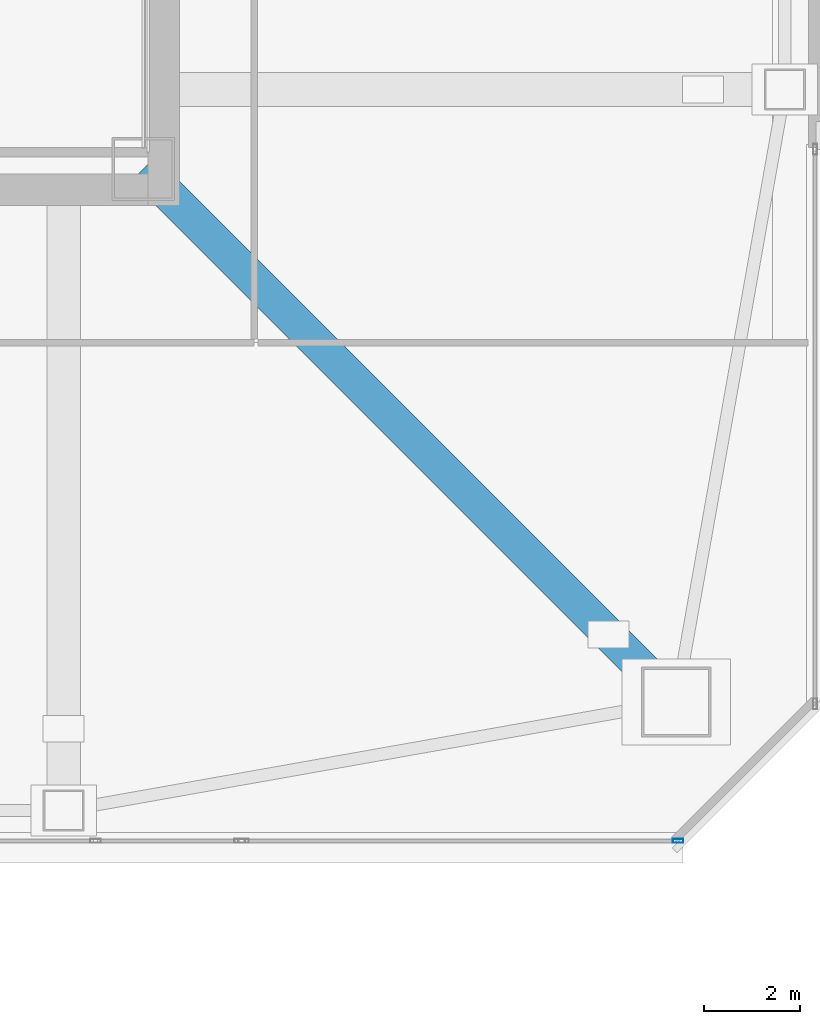
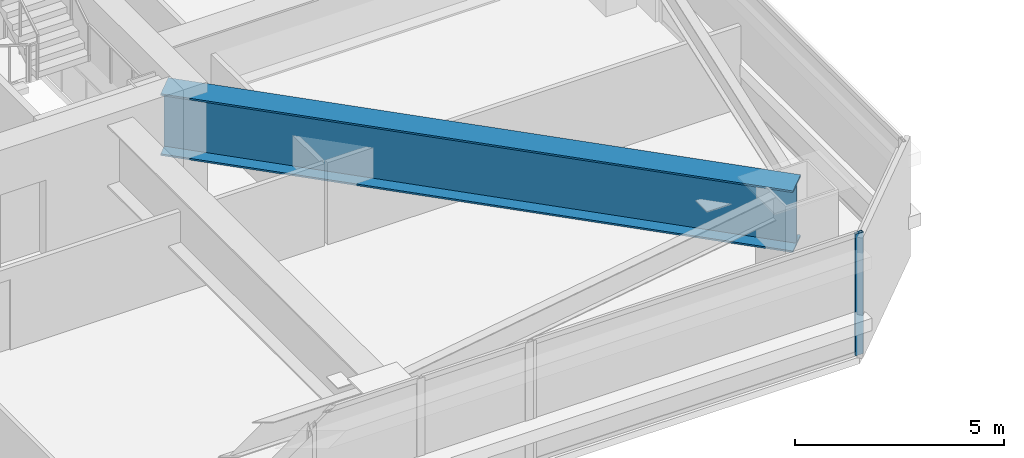
# One storey, part 8 of 49: 1 beam, 1 member, 1 element without a shape of its own.
"""IFC4 building model written with IfcOpenShell, lengths in metres."""

from ifc_helpers import new_model, si_unit, direction, frame, origin, origin_2d, place, context, subcontext, project, spatial, hollow_rectangle, i_section, extrude, material, material_profile, profile_set, type_object, element, aggregate, save


model = new_model("IFC4")

# Units and contexts
model_context = context("Model", 3, precision=1e-05, world=origin(), true_north=direction((0.0, 1.0)))
body_context = subcontext(model_context, "Body", "Model", "MODEL_VIEW")
ifc_project = project(units=[si_unit("LENGTHUNIT", "METRE"), si_unit("AREAUNIT", "SQUARE_METRE"), si_unit("VOLUMEUNIT", "CUBIC_METRE"), si_unit("PLANEANGLEUNIT", "RADIAN"), si_unit("MASSUNIT", "GRAM", prefix="KILO")], contexts=[model_context])

# Site, building, storey
site_placement = place(None, origin())
site = spatial("IfcSite", under=ifc_project, at=site_placement, CompositionType="ELEMENT")
building_placement = place(site_placement, origin())
building = spatial("IfcBuilding", under=site, at=building_placement, Name="Tashvorn Skyway Center", CompositionType="ELEMENT")
storey_placement = place(building_placement, frame((0.0, 0.0, 106.25)))
storey = spatial("IfcBuildingStorey", under=building, at=storey_placement, Name="L28", CompositionType="ELEMENT", Elevation=106.25)

# Beam
ifc_material_1 = material(Name="Steel ASTM A572 Grade 50", Category="steel")
ifc_material_profile_1 = material_profile(ifc_material_1, i_section(OverallWidth=0.699951171875, OverallDepth=1.800048828125, WebThickness=0.031982421875, FlangeThickness=0.050048828125, at=origin_2d()), Name="PG1800x700")
ifc_profile_set_1 = profile_set([ifc_material_profile_1], Name="Steel ASTM A572 Grade 50")
beam_type = type_object("IfcBeamType", Name="BM-BEAM-PG1800x700", PredefinedType="BEAM", material=ifc_profile_set_1)
beam_placement = place(storey_placement, frame((60.10009765625, 13.89990234375, 2.35009765625), z_axis=(-0.707106781187, 0.707106781187, 0.0), x_axis=(-0.707106781187, -0.707106781187, 0.0)))
element("IfcBeam", 1, at=beam_placement, inside=storey, type_object=beam_type, Name="Tower 1 L28 Setback Transfer Girder MC-SE", PredefinedType="BEAM", context=body_context, shape_type="SweptSolid", body=[
    extrude(i_section(OverallWidth=0.699951171875, OverallDepth=1.800048828125, WebThickness=0.031982421875, FlangeThickness=0.050048828125, at=origin_2d()), origin(), (0.0, 0.0, 1.0), 15.627197265625),
])

# Curtain wall, member
ifc_material_2 = material(Name="Thermally broken bronze-anodized aluminium 6063-T6", Category="aluminium")
curtain_wall_type = type_object("IfcCurtainWallType", Name="CW-CW-Z2", PredefinedType="NOTDEFINED", material=ifc_material_2)
curtain_wall_placement = place(storey_placement, origin())
curtain_wall = element("IfcCurtainWall", 2, at=curtain_wall_placement, inside=storey, type_object=curtain_wall_type, Name="Tower 1 L28 South Unitised Curtain Wall Glazing Group 1", PredefinedType="NOTDEFINED")
ifc_material_profile_2 = material_profile(ifc_material_2, hollow_rectangle(XDim=0.080078125, YDim=0.219970703125, WallThickness=0.0048828125, at=origin_2d()), Name="ALU-MULL-80x220")
ifc_profile_set_2 = profile_set([ifc_material_profile_2], Name="Thermally broken bronze-anodized aluminium 6063-T6")
member_type = type_object("IfcMemberType", Name="CWM-CW-Z2", PredefinedType="MULLION", material=ifc_profile_set_2)
member_placement = place(storey_placement, frame((60.139892578125, 11.02001953125, 0.0), z_axis=(0.0, 0.0, 1.0), x_axis=(0.0, -1.0, 0.0)))
member = element("IfcMember", 3, at=member_placement, type_object=member_type, Name="CW-Z2 mullion 1", PredefinedType="MULLION", context=body_context, shape_type="SweptSolid", body=[
    extrude(hollow_rectangle(XDim=0.080078125, YDim=0.219970703125, WallThickness=0.0048828125, at=origin_2d()), origin(), (0.0, 0.0, 1.0), 3.550048828125),
])
aggregate(curtain_wall, [member])

save(model, "model.ifc")
